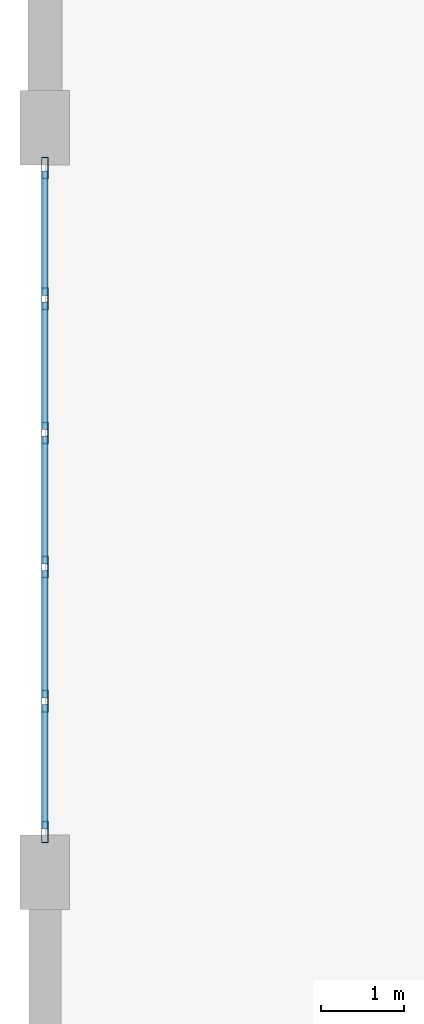
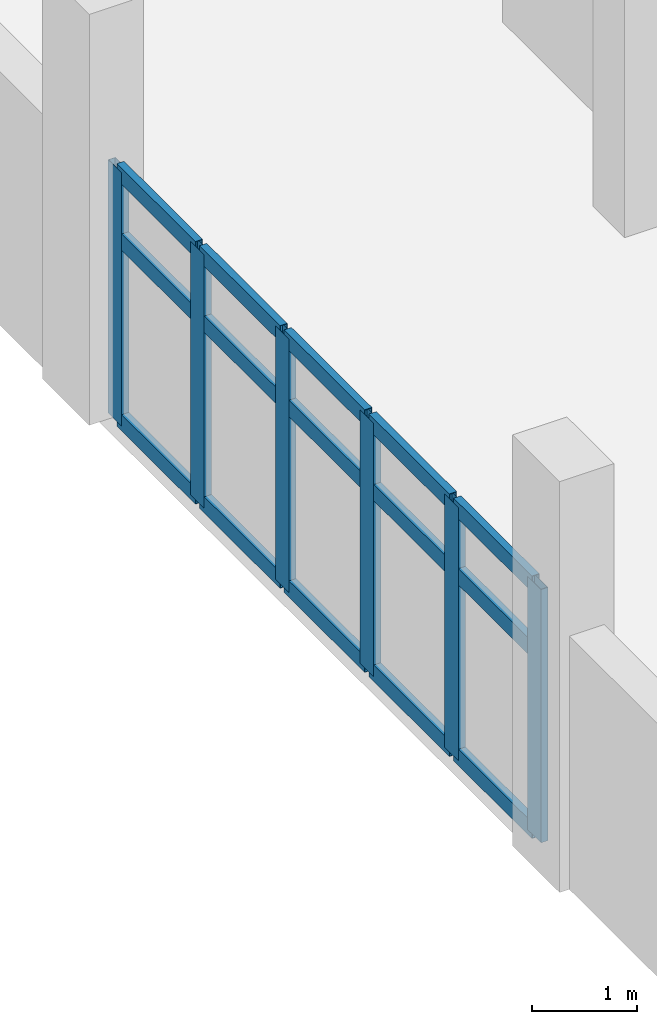
# One storey, part 8 of 62: 21 members, 1 element without a shape of its own.
"""IFC4 building model written with IfcOpenShell, lengths in metres."""

import ifcopenshell
import ifcopenshell.guid

model = None  # the IFC model being written
_history = None  # IfcOwnerHistory: only IFC2X3 demands one
_inside = {}  # id of a spatial element -> (the spatial element, [elements in it])
_under = {}  # id of a project, library or spatial element -> (it, [spatial elements below it])
_declared = {}  # id of a project -> (the project, [libraries it declares])
_typed = {}  # id of a type object -> (the type object, [elements of that type])
_made_of = {}  # id of a material, layer set ... -> (it, [elements and type objects made of it])


def new_model(schema):
    """Start an empty IFC model of exactly this schema.

    Asked for "IFC4X3", IfcOpenShell would pick the latest addendum, in which some entities
    have other attributes; the version numbers below select the first issue.
    IFC2X3 requires an IfcOwnerHistory on every rooted entity: one is made here for all.
    """
    global model, _history
    if schema == "IFC4X3":
        model = ifcopenshell.file(schema_version=(4, 3, 0, 0))
    else:
        model = ifcopenshell.file(schema=schema)
    _inside.clear()
    _under.clear()
    _declared.clear()
    _typed.clear()
    _made_of.clear()
    _history = None
    if model.schema == "IFC2X3":
        org = make("IfcOrganization", Name="unknown")
        user = make(
            "IfcPersonAndOrganization",
            ThePerson=make("IfcPerson", FamilyName="unknown"),
            TheOrganization=org,
        )
        app = make(
            "IfcApplication",
            ApplicationDeveloper=org,
            Version="unknown",
            ApplicationFullName="unknown",
            ApplicationIdentifier="unknown",
        )
        _history = make(
            "IfcOwnerHistory",
            OwningUser=user,
            OwningApplication=app,
            ChangeAction="ADDED",
            CreationDate=0,
        )
    return model


def make(cls, **values):
    """One entity of the class cls with the attributes given. An attribute that is None is left unset."""
    return model.create_entity(
        cls, **{name: value for name, value in values.items() if value is not None}
    )


def rooted(cls, **values):
    """An entity with a GlobalId (a new one), such as an element, a storey or a relation."""
    return make(cls, GlobalId=ifcopenshell.guid.new(), OwnerHistory=_history, **values)


def si_unit(unit_type, name, prefix=None):
    """IfcSIUnit, for example si_unit("LENGTHUNIT", "METRE", prefix="MILLI")."""
    return make("IfcSIUnit", UnitType=unit_type, Prefix=prefix, Name=name)


def assignment(units):
    """IfcUnitAssignment: the units of a project."""
    return None if units is None else make("IfcUnitAssignment", Units=units)


def point(xyz):
    """IfcCartesianPoint."""
    return None if xyz is None else make("IfcCartesianPoint", Coordinates=xyz)


def direction(xyz):
    """IfcDirection."""
    return None if xyz is None else make("IfcDirection", DirectionRatios=xyz)


def frame(location, z_axis=None, x_axis=None):
    """IfcAxis2Placement3D, a coordinate frame: its origin and axes. An axis left out is left unset."""
    return make(
        "IfcAxis2Placement3D",
        Location=point(location),
        Axis=direction(z_axis),
        RefDirection=direction(x_axis),
    )


def frame_2d(location, x_axis=None):
    """IfcAxis2Placement2D, a coordinate frame in the plane: its origin and x axis."""
    return make(
        "IfcAxis2Placement2D", Location=point(location), RefDirection=direction(x_axis)
    )


def origin():
    """The frame at (0, 0, 0) with its axes left unset."""
    return frame((0.0, 0.0, 0.0))


def origin_2d():
    """The frame at (0, 0) in the plane with its x axis left unset."""
    return frame_2d((0.0, 0.0))


def place(relative_to, where):
    """IfcLocalPlacement: puts the frame where relative to a parent placement (None: the world)."""
    return make(
        "IfcLocalPlacement", PlacementRelTo=relative_to, RelativePlacement=where
    )


def context(
    kind, dimensions, precision=None, world=None, true_north=None, identifier=None
):
    """IfcGeometricRepresentationContext, for example the 3D "Model" context."""
    return make(
        "IfcGeometricRepresentationContext",
        ContextIdentifier=identifier,
        ContextType=kind,
        CoordinateSpaceDimension=dimensions,
        Precision=precision,
        WorldCoordinateSystem=world,
        TrueNorth=true_north,
    )


def subcontext(parent, identifier, kind, view, scale=None):
    """IfcGeometricRepresentationSubContext, for example "Body" below "Model"."""
    return make(
        "IfcGeometricRepresentationSubContext",
        ContextIdentifier=identifier,
        ContextType=kind,
        ParentContext=parent,
        TargetScale=scale,
        TargetView=view,
    )


def project(units=None, contexts=None):
    """IfcProject with its units and contexts."""
    return rooted(
        "IfcProject",
        Name="project",
        RepresentationContexts=contexts,
        UnitsInContext=assignment(units),
    )


def spatial(cls, under=None, at=None, **own):
    """A site, building, storey or space (cls), placed at a placement, below another one or the project."""
    s = rooted(cls, ObjectPlacement=at, **own)
    if under is not None:
        _under.setdefault(under.id(), (under, []))[1].append(s)
    return s


def profile(cls, at=None, kind="AREA", **sizes):
    """A parametric profile (cls). Its sizes go by their IFC names, for example OverallWidth=200.0."""
    return make(cls, ProfileType=kind, Position=at, **sizes)


def hollow_rectangle(**sizes):
    """IfcRectangleHollowProfileDef."""
    return profile("IfcRectangleHollowProfileDef", **sizes)


def extrude(swept, where, along, depth):
    """IfcExtrudedAreaSolid: the profile swept, set in the frame where, extruded along a direction by depth."""
    return make(
        "IfcExtrudedAreaSolid",
        SweptArea=swept,
        Position=where,
        ExtrudedDirection=direction(along),
        Depth=depth,
    )


def shape(context_of_items, identifier, shape_type, items):
    """IfcShapeRepresentation: the items that make up one representation, for example the "Body"."""
    return make(
        "IfcShapeRepresentation",
        ContextOfItems=context_of_items,
        RepresentationIdentifier=identifier,
        RepresentationType=shape_type,
        Items=items,
    )


def material(Name=None, Category=None):
    """IfcMaterial."""
    return make("IfcMaterial", Name=Name, Category=Category)


def layer(
    of_material, thickness, ventilated=None, Name=None, Category=None, Priority=None
):
    """IfcMaterialLayer: one layer of a wall or slab, of a material (None: an air gap)."""
    return make(
        "IfcMaterialLayer",
        Material=of_material,
        LayerThickness=thickness,
        IsVentilated=ventilated,
        Name=Name,
        Category=Category,
        Priority=Priority,
    )


def layer_set(layers, Name=None):
    """IfcMaterialLayerSet."""
    return make("IfcMaterialLayerSet", MaterialLayers=layers, LayerSetName=Name)


def material_profile(
    of_material, cross_section, Name=None, Category=None, Priority=None
):
    """IfcMaterialProfile: a cross section and its material."""
    return make(
        "IfcMaterialProfile",
        Name=Name,
        Material=of_material,
        Profile=cross_section,
        Priority=Priority,
        Category=Category,
    )


def profile_set(profiles, Name=None, composite=None):
    """IfcMaterialProfileSet."""
    return make(
        "IfcMaterialProfileSet",
        Name=Name,
        MaterialProfiles=profiles,
        CompositeProfile=composite,
    )


def made_of(thing, what):
    """Note that an element or type object is made of a material, layer set ...; save() writes the relation."""
    if what is not None:
        _made_of.setdefault(what.id(), (what, []))[1].append(thing)
    return thing


def type_object(cls, material=None, **own):
    """A type object (cls), such as IfcWallType, which elements share."""
    return made_of(rooted(cls, **own), material)


def element(
    cls,
    number,
    at=None,
    inside=None,
    cuts=None,
    type_object=None,
    material=None,
    context=None,
    identifier="Body",
    shape_type=None,
    held_by="IfcProductDefinitionShape",
    body=None,
    shapes=None,
    **own,
):
    """One element of the class cls, such as IfcWall. Its Tag is "e" and its number.

    at: its placement. inside: the storey or other place that contains it. cuts: it is an
    opening in that element (IfcRelVoidsElement). A single representation is given by context,
    identifier, shape_type and body (its items); several are given by shapes. held_by: the class
    of the entity that holds the representations. save() writes the other relations.
    """
    e = rooted(cls, Tag="e%d" % number, ObjectPlacement=at, **own)
    if body is not None:
        shapes = [shape(context, identifier, shape_type, body)]
    if shapes is not None:
        e.Representation = make(held_by, Representations=shapes)
    if inside is not None:
        _inside.setdefault(inside.id(), (inside, []))[1].append(e)
    if cuts is not None:
        rooted(
            "IfcRelVoidsElement", RelatingBuildingElement=cuts, RelatedOpeningElement=e
        )
    if type_object is not None:
        _typed.setdefault(type_object.id(), (type_object, []))[1].append(e)
    return made_of(e, material)


def aggregate(whole, parts):
    """IfcRelAggregates: a whole, such as a stair, and the parts it consists of."""
    return rooted("IfcRelAggregates", RelatingObject=whole, RelatedObjects=parts)


def save(model, path):
    """Write the relations noted so far, then the file.

    IfcRelAggregates (storeys below a building ...), IfcRelContainedInSpatialStructure (elements
    in a storey), IfcRelDefinesByType, IfcRelAssociatesMaterial and IfcRelDeclares: one each for
    every whole, place, type object, material and project.
    """
    for whole, parts in _under.values():
        aggregate(whole, parts)
    for where, things in _inside.values():
        rooted(
            "IfcRelContainedInSpatialStructure",
            RelatedElements=things,
            RelatingStructure=where,
        )
    for kind, things in _typed.values():
        rooted("IfcRelDefinesByType", RelatedObjects=things, RelatingType=kind)
    for what, things in _made_of.values():
        rooted("IfcRelAssociatesMaterial", RelatedObjects=things, RelatingMaterial=what)
    for by, libraries in _declared.values():
        rooted("IfcRelDeclares", RelatingContext=by, RelatedDefinitions=libraries)
    model.write(path)


model = new_model("IFC4")

# Units and contexts
model_context = context("Model", 3, precision=1e-05, world=origin(), true_north=direction((0.0, 1.0)))
body_context = subcontext(model_context, "Body", "Model", "MODEL_VIEW")
ifc_project = project(units=[si_unit("LENGTHUNIT", "METRE"), si_unit("AREAUNIT", "SQUARE_METRE"), si_unit("VOLUMEUNIT", "CUBIC_METRE"), si_unit("PLANEANGLEUNIT", "RADIAN"), si_unit("MASSUNIT", "GRAM", prefix="KILO")], contexts=[model_context])

# Site, building, storey
site_placement = place(None, origin())
site = spatial("IfcSite", under=ifc_project, at=site_placement, CompositionType="ELEMENT")
building_placement = place(site_placement, origin())
building = spatial("IfcBuilding", under=site, at=building_placement, Name="Vaelkrest Opera House", CompositionType="ELEMENT")
storey_placement = place(building_placement, frame((0.0, 0.0, 19.800048828125)))
storey = spatial("IfcBuildingStorey", under=building, at=storey_placement, Name="L04", CompositionType="ELEMENT", Elevation=19.800048828125)

# Curtain wall, members
ifc_material = material(Name="Dark bronze anodized aluminium", Category="aluminium")
ifc_layer = layer(ifc_material, 0.2099609375)
ifc_layer_set = layer_set([ifc_layer], Name="Dark bronze anodized aluminium")
curtain_wall_type = type_object("IfcCurtainWallType", Name="CW04", PredefinedType="NOTDEFINED", material=ifc_layer_set)
curtain_wall_placement = place(storey_placement, origin())
curtain_wall = element("IfcCurtainWall", 1, at=curtain_wall_placement, inside=storey, type_object=curtain_wall_type, Name="Curtain wall CW-L04-141", PredefinedType="NOTDEFINED")
ifc_material_profile_1 = material_profile(ifc_material, hollow_rectangle(XDim=0.080078125, YDim=0.260009765625, WallThickness=0.0048828125, at=origin_2d()), Name="CWM80X260")
ifc_profile_set_1 = profile_set([ifc_material_profile_1], Name="Dark bronze anodized aluminium")
member_type_1 = type_object("IfcMemberType", Name="CWM04", PredefinedType="MULLION", material=ifc_profile_set_1)
member_1_placement = place(storey_placement, frame((-75.60009765625, -7.31201171875, 0.0), z_axis=(0.0, 0.0, 1.0), x_axis=(-1.0, 0.0, 0.0)))
member_1 = element("IfcMember", 2, at=member_1_placement, type_object=member_type_1, Name="CW04 mullion 1", PredefinedType="MULLION", context=body_context, shape_type="SweptSolid", body=[
    extrude(hollow_rectangle(XDim=0.080078125, YDim=0.260009765625, WallThickness=0.0048828125, at=origin_2d()), origin(), (0.0, 0.0, 1.0), 2.9580078125),
])
member_2_placement = place(storey_placement, frame((-75.60009765625, -5.731201171875, 0.0), z_axis=(0.0, 0.0, 1.0), x_axis=(-1.0, 0.0, 0.0)))
member_2 = element("IfcMember", 3, at=member_2_placement, type_object=member_type_1, Name="CW04 mullion 2", PredefinedType="MULLION", context=body_context, shape_type="SweptSolid", body=[
    extrude(hollow_rectangle(XDim=0.080078125, YDim=0.260009765625, WallThickness=0.0048828125, at=origin_2d()), origin(), (0.0, 0.0, 1.0), 2.9580078125),
])
member_3_placement = place(storey_placement, frame((-75.60009765625, -4.1103515625, 0.0), z_axis=(0.0, 0.0, 1.0), x_axis=(-1.0, 0.0, 0.0)))
member_3 = element("IfcMember", 4, at=member_3_placement, type_object=member_type_1, Name="CW04 mullion 3", PredefinedType="MULLION", context=body_context, shape_type="SweptSolid", body=[
    extrude(hollow_rectangle(XDim=0.080078125, YDim=0.260009765625, WallThickness=0.0048828125, at=origin_2d()), origin(), (0.0, 0.0, 1.0), 2.9580078125),
])
member_4_placement = place(storey_placement, frame((-75.60009765625, -2.489501953125, 0.0), z_axis=(0.0, 0.0, 1.0), x_axis=(-1.0, 0.0, 0.0)))
member_4 = element("IfcMember", 5, at=member_4_placement, type_object=member_type_1, Name="CW04 mullion 4", PredefinedType="MULLION", context=body_context, shape_type="SweptSolid", body=[
    extrude(hollow_rectangle(XDim=0.080078125, YDim=0.260009765625, WallThickness=0.0048828125, at=origin_2d()), origin(), (0.0, 0.0, 1.0), 2.9580078125),
])
member_5_placement = place(storey_placement, frame((-75.60009765625, -0.868896484375, 0.0), z_axis=(0.0, 0.0, 1.0), x_axis=(-1.0, 0.0, 0.0)))
member_5 = element("IfcMember", 6, at=member_5_placement, type_object=member_type_1, Name="CW04 mullion 5", PredefinedType="MULLION", context=body_context, shape_type="SweptSolid", body=[
    extrude(hollow_rectangle(XDim=0.080078125, YDim=0.260009765625, WallThickness=0.0048828125, at=origin_2d()), origin(), (0.0, 0.0, 1.0), 2.9580078125),
])
member_6_placement = place(storey_placement, frame((-75.60009765625, 0.7119140625, 0.0), z_axis=(0.0, 0.0, 1.0), x_axis=(-1.0, 0.0, 0.0)))
member_6 = element("IfcMember", 7, at=member_6_placement, type_object=member_type_1, Name="CW04 mullion 6", PredefinedType="MULLION", context=body_context, shape_type="SweptSolid", body=[
    extrude(hollow_rectangle(XDim=0.080078125, YDim=0.260009765625, WallThickness=0.0048828125, at=origin_2d()), origin(), (0.0, 0.0, 1.0), 2.9580078125),
])
ifc_material_profile_2 = material_profile(ifc_material, hollow_rectangle(XDim=0.080078125, YDim=0.18994140625, WallThickness=0.0048828125, at=origin_2d()), Name="CWT80X190")
ifc_profile_set_2 = profile_set([ifc_material_profile_2], Name="Dark bronze anodized aluminium")
member_type_2 = type_object("IfcMemberType", Name="CWT04", PredefinedType="USERDEFINED", material=ifc_profile_set_2)
member_7_placement = place(storey_placement, frame((-75.60009765625, -7.27197265625, 0.0400390625), z_axis=(0.0, 1.0, 0.0), x_axis=(-1.0, 0.0, 0.0)))
member_7 = element("IfcMember", 8, at=member_7_placement, type_object=member_type_2, Name="CW04 transom 1.1", ObjectType="TRANSOM", PredefinedType="USERDEFINED", context=body_context, shape_type="SweptSolid", body=[
    extrude(hollow_rectangle(XDim=0.080078125, YDim=0.18994140625, WallThickness=0.0048828125, at=origin_2d()), origin(), (0.0, 0.0, 1.0), 1.500732421875),
])
member_8_placement = place(storey_placement, frame((-75.60009765625, -7.27197265625, 2.14990234375), z_axis=(0.0, 1.0, 0.0), x_axis=(-1.0, 0.0, 0.0)))
member_8 = element("IfcMember", 9, at=member_8_placement, type_object=member_type_2, Name="CW04 transom 1.2", ObjectType="TRANSOM", PredefinedType="USERDEFINED", context=body_context, shape_type="SweptSolid", body=[
    extrude(hollow_rectangle(XDim=0.080078125, YDim=0.18994140625, WallThickness=0.0048828125, at=origin_2d()), origin(), (0.0, 0.0, 1.0), 1.500732421875),
])
member_9_placement = place(storey_placement, frame((-75.60009765625, -7.27197265625, 2.91796875), z_axis=(0.0, 1.0, 0.0), x_axis=(-1.0, 0.0, 0.0)))
member_9 = element("IfcMember", 10, at=member_9_placement, type_object=member_type_2, Name="CW04 transom 1.3", ObjectType="TRANSOM", PredefinedType="USERDEFINED", context=body_context, shape_type="SweptSolid", body=[
    extrude(hollow_rectangle(XDim=0.080078125, YDim=0.18994140625, WallThickness=0.0048828125, at=origin_2d()), origin(), (0.0, 0.0, 1.0), 1.500732421875),
])
member_10_placement = place(storey_placement, frame((-75.60009765625, -5.691162109375, 0.0400390625), z_axis=(0.0, 1.0, 0.0), x_axis=(-1.0, 0.0, 0.0)))
member_10 = element("IfcMember", 11, at=member_10_placement, type_object=member_type_2, Name="CW04 transom 2.1", ObjectType="TRANSOM", PredefinedType="USERDEFINED", context=body_context, shape_type="SweptSolid", body=[
    extrude(hollow_rectangle(XDim=0.080078125, YDim=0.18994140625, WallThickness=0.0048828125, at=origin_2d()), origin(), (0.0, 0.0, 1.0), 1.540771484375),
])
member_11_placement = place(storey_placement, frame((-75.60009765625, -5.691162109375, 2.14990234375), z_axis=(0.0, 1.0, 0.0), x_axis=(-1.0, 0.0, 0.0)))
member_11 = element("IfcMember", 12, at=member_11_placement, type_object=member_type_2, Name="CW04 transom 2.2", ObjectType="TRANSOM", PredefinedType="USERDEFINED", context=body_context, shape_type="SweptSolid", body=[
    extrude(hollow_rectangle(XDim=0.080078125, YDim=0.18994140625, WallThickness=0.0048828125, at=origin_2d()), origin(), (0.0, 0.0, 1.0), 1.540771484375),
])
member_12_placement = place(storey_placement, frame((-75.60009765625, -5.691162109375, 2.91796875), z_axis=(0.0, 1.0, 0.0), x_axis=(-1.0, 0.0, 0.0)))
member_12 = element("IfcMember", 13, at=member_12_placement, type_object=member_type_2, Name="CW04 transom 2.3", ObjectType="TRANSOM", PredefinedType="USERDEFINED", context=body_context, shape_type="SweptSolid", body=[
    extrude(hollow_rectangle(XDim=0.080078125, YDim=0.18994140625, WallThickness=0.0048828125, at=origin_2d()), origin(), (0.0, 0.0, 1.0), 1.540771484375),
])
member_13_placement = place(storey_placement, frame((-75.60009765625, -4.0703125, 0.0400390625), z_axis=(0.0, 1.0, 0.0), x_axis=(-1.0, 0.0, 0.0)))
member_13 = element("IfcMember", 14, at=member_13_placement, type_object=member_type_2, Name="CW04 transom 3.1", ObjectType="TRANSOM", PredefinedType="USERDEFINED", context=body_context, shape_type="SweptSolid", body=[
    extrude(hollow_rectangle(XDim=0.080078125, YDim=0.18994140625, WallThickness=0.0048828125, at=origin_2d()), origin(), (0.0, 0.0, 1.0), 1.540771484375),
])
member_14_placement = place(storey_placement, frame((-75.60009765625, -4.0703125, 2.14990234375), z_axis=(0.0, 1.0, 0.0), x_axis=(-1.0, 0.0, 0.0)))
member_14 = element("IfcMember", 15, at=member_14_placement, type_object=member_type_2, Name="CW04 transom 3.2", ObjectType="TRANSOM", PredefinedType="USERDEFINED", context=body_context, shape_type="SweptSolid", body=[
    extrude(hollow_rectangle(XDim=0.080078125, YDim=0.18994140625, WallThickness=0.0048828125, at=origin_2d()), origin(), (0.0, 0.0, 1.0), 1.540771484375),
])
member_15_placement = place(storey_placement, frame((-75.60009765625, -4.0703125, 2.91796875), z_axis=(0.0, 1.0, 0.0), x_axis=(-1.0, 0.0, 0.0)))
member_15 = element("IfcMember", 16, at=member_15_placement, type_object=member_type_2, Name="CW04 transom 3.3", ObjectType="TRANSOM", PredefinedType="USERDEFINED", context=body_context, shape_type="SweptSolid", body=[
    extrude(hollow_rectangle(XDim=0.080078125, YDim=0.18994140625, WallThickness=0.0048828125, at=origin_2d()), origin(), (0.0, 0.0, 1.0), 1.540771484375),
])
member_16_placement = place(storey_placement, frame((-75.60009765625, -2.44970703125, 0.0400390625), z_axis=(0.0, 1.0, 0.0), x_axis=(-1.0, 0.0, 0.0)))
member_16 = element("IfcMember", 17, at=member_16_placement, type_object=member_type_2, Name="CW04 transom 4.1", ObjectType="TRANSOM", PredefinedType="USERDEFINED", context=body_context, shape_type="SweptSolid", body=[
    extrude(hollow_rectangle(XDim=0.080078125, YDim=0.18994140625, WallThickness=0.0048828125, at=origin_2d()), origin(), (0.0, 0.0, 1.0), 1.541015625),
])
member_17_placement = place(storey_placement, frame((-75.60009765625, -2.44970703125, 2.14990234375), z_axis=(0.0, 1.0, 0.0), x_axis=(-1.0, 0.0, 0.0)))
member_17 = element("IfcMember", 18, at=member_17_placement, type_object=member_type_2, Name="CW04 transom 4.2", ObjectType="TRANSOM", PredefinedType="USERDEFINED", context=body_context, shape_type="SweptSolid", body=[
    extrude(hollow_rectangle(XDim=0.080078125, YDim=0.18994140625, WallThickness=0.0048828125, at=origin_2d()), origin(), (0.0, 0.0, 1.0), 1.541015625),
])
member_18_placement = place(storey_placement, frame((-75.60009765625, -2.44970703125, 2.91796875), z_axis=(0.0, 1.0, 0.0), x_axis=(-1.0, 0.0, 0.0)))
member_18 = element("IfcMember", 19, at=member_18_placement, type_object=member_type_2, Name="CW04 transom 4.3", ObjectType="TRANSOM", PredefinedType="USERDEFINED", context=body_context, shape_type="SweptSolid", body=[
    extrude(hollow_rectangle(XDim=0.080078125, YDim=0.18994140625, WallThickness=0.0048828125, at=origin_2d()), origin(), (0.0, 0.0, 1.0), 1.541015625),
])
member_19_placement = place(storey_placement, frame((-75.60009765625, -0.828857421875, 0.0400390625), z_axis=(0.0, 1.0, 0.0), x_axis=(-1.0, 0.0, 0.0)))
member_19 = element("IfcMember", 20, at=member_19_placement, type_object=member_type_2, Name="CW04 transom 5.1", ObjectType="TRANSOM", PredefinedType="USERDEFINED", context=body_context, shape_type="SweptSolid", body=[
    extrude(hollow_rectangle(XDim=0.080078125, YDim=0.18994140625, WallThickness=0.0048828125, at=origin_2d()), origin(), (0.0, 0.0, 1.0), 1.5009765625),
])
member_20_placement = place(storey_placement, frame((-75.60009765625, -0.828857421875, 2.14990234375), z_axis=(0.0, 1.0, 0.0), x_axis=(-1.0, 0.0, 0.0)))
member_20 = element("IfcMember", 21, at=member_20_placement, type_object=member_type_2, Name="CW04 transom 5.2", ObjectType="TRANSOM", PredefinedType="USERDEFINED", context=body_context, shape_type="SweptSolid", body=[
    extrude(hollow_rectangle(XDim=0.080078125, YDim=0.18994140625, WallThickness=0.0048828125, at=origin_2d()), origin(), (0.0, 0.0, 1.0), 1.5009765625),
])
member_21_placement = place(storey_placement, frame((-75.60009765625, -0.828857421875, 2.91796875), z_axis=(0.0, 1.0, 0.0), x_axis=(-1.0, 0.0, 0.0)))
member_21 = element("IfcMember", 22, at=member_21_placement, type_object=member_type_2, Name="CW04 transom 5.3", ObjectType="TRANSOM", PredefinedType="USERDEFINED", context=body_context, shape_type="SweptSolid", body=[
    extrude(hollow_rectangle(XDim=0.080078125, YDim=0.18994140625, WallThickness=0.0048828125, at=origin_2d()), origin(), (0.0, 0.0, 1.0), 1.5009765625),
])
aggregate(curtain_wall, [member_1, member_2, member_3, member_4, member_5, member_6, member_7, member_8, member_9, member_10, member_11, member_12, member_13, member_14, member_15, member_16, member_17, member_18, member_19, member_20, member_21])

save(model, "model.ifc")
